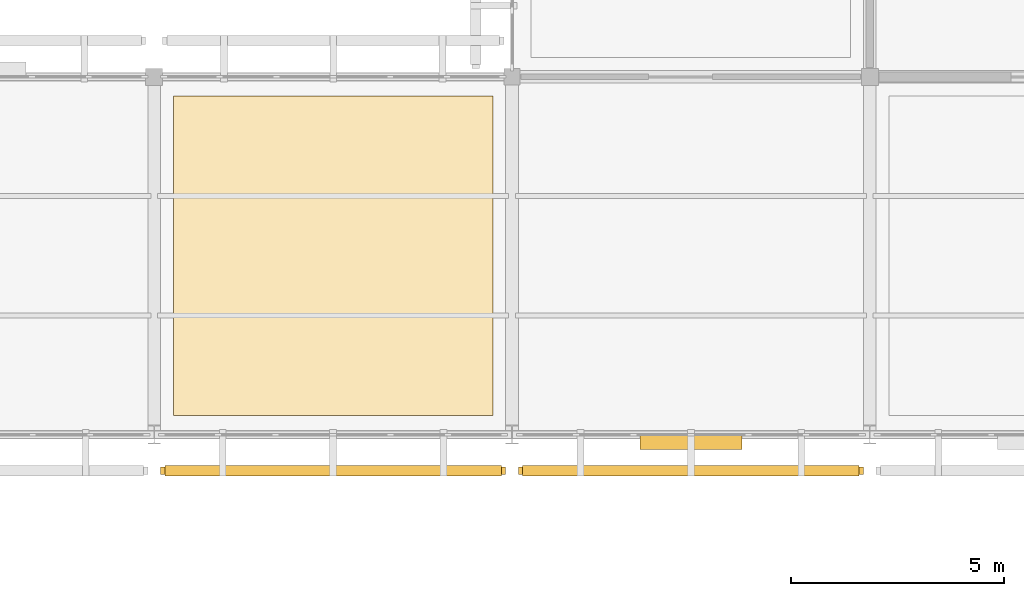
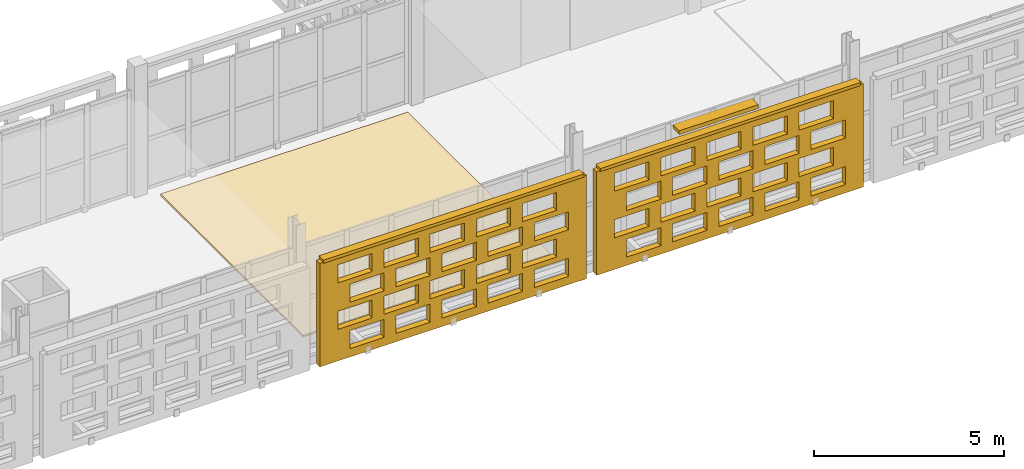
# One storey, part 144 of 166: 3 coverings, 3 shading devices, 40 openings.
"""IFC4 building model written with IfcOpenShell, lengths in metres."""

from ifc_helpers import new_model, si_unit, direction, frame, frame_2d, origin, origin_2d, place, context, subcontext, project, spatial, rectangle, extrude, material, layer, layer_set, type_object, element, save


model = new_model("IFC4")

# Units and contexts
model_context = context("Model", 3, precision=1e-05, world=origin(), true_north=direction((0.0, 1.0)))
body_context = subcontext(model_context, "Body", "Model", "MODEL_VIEW")
ifc_project = project(units=[si_unit("LENGTHUNIT", "METRE"), si_unit("AREAUNIT", "SQUARE_METRE"), si_unit("VOLUMEUNIT", "CUBIC_METRE"), si_unit("PLANEANGLEUNIT", "RADIAN"), si_unit("MASSUNIT", "GRAM", prefix="KILO")], contexts=[model_context])

# Site, building, storey
site_placement = place(None, origin())
site = spatial("IfcSite", under=ifc_project, at=site_placement, CompositionType="ELEMENT")
building_placement = place(site_placement, origin())
building = spatial("IfcBuilding", under=site, at=building_placement, Name="Varnapada Polytechnic", CompositionType="ELEMENT")
storey_placement = place(building_placement, frame((0.0, 0.0, 9.60009765625)))
storey = spatial("IfcBuildingStorey", under=building, at=storey_placement, Name="L02", CompositionType="ELEMENT", Elevation=9.60009765625)

# Covering
ifc_material_1 = material(Name="Anti-Static Raised Laboratory Flooring")
ifc_layer_1 = layer(ifc_material_1, 0.06005859375)
ifc_layer_set_1 = layer_set([ifc_layer_1], Name="Anti-Static Raised Laboratory Flooring")
covering_type_1 = type_object("IfcCoveringType", Name="Floor Finish FLR-02", PredefinedType="FLOORING", material=ifc_layer_set_1)
covering_1_placement = place(storey_placement, frame((113.39990234375, 88.199951171875, -0.000244140625), z_axis=(0.0, 0.0, 1.0), x_axis=(1.0, 0.0, 0.0)))
element("IfcCovering", 1, at=covering_1_placement, inside=storey, type_object=covering_type_1, Name="L02 floor finish panel (14,11)", PredefinedType="FLOORING", context=body_context, shape_type="SweptSolid", body=[
    extrude(rectangle(XDim=7.5, YDim=7.5, at=origin_2d()), origin(), (0.0, 0.0, 1.0), 0.06005859375),
])

# Shading device
ifc_material_2 = material(Name="Anodised aluminium", Category="aluminium")
ifc_layer_2 = layer(ifc_material_2, 0.35009765625)
ifc_layer_set_2 = layer_set([ifc_layer_2], Name="Anodised aluminium")
shading_device_type_1 = type_object("IfcShadingDeviceType", Name="Solar Louvre LVR-01", PredefinedType="JALOUSIE", material=ifc_layer_set_2)
shading_device_placement = place(storey_placement, frame((121.800048828125, 83.820068359375, 3.159912109375), z_axis=(0.0, 0.0, 1.0), x_axis=(-1.0, 0.0, 0.0)))
element("IfcShadingDevice", 2, at=shading_device_placement, inside=storey, type_object=shading_device_type_1, Name="L02 aluminium sun louvre 70", PredefinedType="JALOUSIE", context=body_context, shape_type="SweptSolid", body=[
    extrude(rectangle(XDim=2.39990234375, YDim=0.340087890625, at=origin_2d()), origin(), (0.0, 0.0, 1.0), 0.1201171875),
])

# Covering, openings
ifc_material_3 = material(Name="Earth-toned architectural terracotta screen block", Category="masonry")
ifc_layer_3 = layer(ifc_material_3, 0.1201171875)
ifc_layer_set_3 = layer_set([ifc_layer_3], Name="Earth-toned architectural terracotta screen block")
covering_type_2 = type_object("IfcCoveringType", Name="Terracotta Screen Cladding CLD-01", PredefinedType="CLADDING", material=ifc_layer_set_3)
covering_2_placement = place(storey_placement, frame((117.449951171875, 83.14990234375, 0.0), z_axis=(0.0, 0.0, 1.0), x_axis=(-1.0, 0.0, 0.0)))
covering_2 = element("IfcCovering", 3, at=covering_2_placement, inside=storey, type_object=covering_type_2, Name="L02 perforated terracotta block screen (68)", PredefinedType="CLADDING", context=body_context, shape_type="SweptSolid", body=[
    extrude(rectangle(XDim=8.099853515625, YDim=0.179931640625, at=frame_2d((4.0498046875, 0.0))), origin(), (0.0, 0.0, 1.0), 3.31982421875),
])
opening_1_placement = place(covering_2_placement, frame((0.550048828125, 0.0, 0.265625)))
element("IfcOpeningElement", 4, at=opening_1_placement, cuts=covering_2, Name="Screen perforation TBS-L02-067.1", PredefinedType="OPENING", context=body_context, shape_type="SweptSolid", body=[
    extrude(rectangle(XDim=1.0400390625, YDim=0.5810546875, at=frame_2d((0.52001953125, 0.29052734375))), frame((0.0, 0.099853515625, 0.0), z_axis=(0.0, -1.0, 0.0), x_axis=(1.0, 0.0, 0.0)), (0.0, 0.0, 1.0), 0.199951171875),
])
opening_2_placement = place(covering_2_placement, frame((1.949951171875, 0.0, 0.265625)))
element("IfcOpeningElement", 5, at=opening_2_placement, cuts=covering_2, Name="Screen perforation TBS-L02-067.2", PredefinedType="OPENING", context=body_context, shape_type="SweptSolid", body=[
    extrude(rectangle(XDim=1.0400390625, YDim=0.5810546875, at=frame_2d((0.52001953125, 0.29052734375))), frame((0.0, 0.099853515625, 0.0), z_axis=(0.0, -1.0, 0.0), x_axis=(1.0, 0.0, 0.0)), (0.0, 0.0, 1.0), 0.199951171875),
])
opening_3_placement = place(covering_2_placement, frame((3.35009765625, 0.0, 0.265625)))
element("IfcOpeningElement", 6, at=opening_3_placement, cuts=covering_2, Name="Screen perforation TBS-L02-067.3", PredefinedType="OPENING", context=body_context, shape_type="SweptSolid", body=[
    extrude(rectangle(XDim=1.0400390625, YDim=0.5810546875, at=frame_2d((0.52001953125, 0.29052734375))), frame((0.0, 0.099853515625, 0.0), z_axis=(0.0, -1.0, 0.0), x_axis=(1.0, 0.0, 0.0)), (0.0, 0.0, 1.0), 0.199951171875),
])
opening_4_placement = place(covering_2_placement, frame((4.75, 0.0, 0.265625)))
element("IfcOpeningElement", 7, at=opening_4_placement, cuts=covering_2, Name="Screen perforation TBS-L02-067.4", PredefinedType="OPENING", context=body_context, shape_type="SweptSolid", body=[
    extrude(rectangle(XDim=1.0400390625, YDim=0.5810546875, at=frame_2d((0.52001953125, 0.29052734375))), frame((0.0, 0.099853515625, 0.0), z_axis=(0.0, -1.0, 0.0), x_axis=(1.0, 0.0, 0.0)), (0.0, 0.0, 1.0), 0.199951171875),
])
opening_5_placement = place(covering_2_placement, frame((6.14990234375, 0.0, 0.265625)))
element("IfcOpeningElement", 8, at=opening_5_placement, cuts=covering_2, Name="Screen perforation TBS-L02-067.5", PredefinedType="OPENING", context=body_context, shape_type="SweptSolid", body=[
    extrude(rectangle(XDim=1.0400390625, YDim=0.5810546875, at=frame_2d((0.52001953125, 0.29052734375))), frame((0.0, 0.099853515625, 0.0), z_axis=(0.0, -1.0, 0.0), x_axis=(1.0, 0.0, 0.0)), (0.0, 0.0, 1.0), 0.199951171875),
])
opening_6_placement = place(covering_2_placement, frame((0.909912109375, 0.0, 1.0126953125)))
element("IfcOpeningElement", 9, at=opening_6_placement, cuts=covering_2, Name="Screen perforation TBS-L02-067.6", PredefinedType="OPENING", context=body_context, shape_type="SweptSolid", body=[
    extrude(rectangle(XDim=1.0400390625, YDim=0.5810546875, at=frame_2d((0.52001953125, 0.29052734375))), frame((0.0, 0.099853515625, 0.0), z_axis=(0.0, -1.0, 0.0), x_axis=(1.0, 0.0, 0.0)), (0.0, 0.0, 1.0), 0.199951171875),
])
opening_7_placement = place(covering_2_placement, frame((2.31005859375, 0.0, 1.0126953125)))
element("IfcOpeningElement", 10, at=opening_7_placement, cuts=covering_2, Name="Screen perforation TBS-L02-067.7", PredefinedType="OPENING", context=body_context, shape_type="SweptSolid", body=[
    extrude(rectangle(XDim=1.0400390625, YDim=0.5810546875, at=frame_2d((0.52001953125, 0.29052734375))), frame((0.0, 0.099853515625, 0.0), z_axis=(0.0, -1.0, 0.0), x_axis=(1.0, 0.0, 0.0)), (0.0, 0.0, 1.0), 0.199951171875),
])
opening_8_placement = place(covering_2_placement, frame((3.7099609375, 0.0, 1.0126953125)))
element("IfcOpeningElement", 11, at=opening_8_placement, cuts=covering_2, Name="Screen perforation TBS-L02-067.8", PredefinedType="OPENING", context=body_context, shape_type="SweptSolid", body=[
    extrude(rectangle(XDim=1.0400390625, YDim=0.5810546875, at=frame_2d((0.52001953125, 0.29052734375))), frame((0.0, 0.099853515625, 0.0), z_axis=(0.0, -1.0, 0.0), x_axis=(1.0, 0.0, 0.0)), (0.0, 0.0, 1.0), 0.199951171875),
])
opening_9_placement = place(covering_2_placement, frame((5.110107421875, 0.0, 1.0126953125)))
element("IfcOpeningElement", 12, at=opening_9_placement, cuts=covering_2, Name="Screen perforation TBS-L02-067.9", PredefinedType="OPENING", context=body_context, shape_type="SweptSolid", body=[
    extrude(rectangle(XDim=1.0400390625, YDim=0.5810546875, at=frame_2d((0.52001953125, 0.29052734375))), frame((0.0, 0.099853515625, 0.0), z_axis=(0.0, -1.0, 0.0), x_axis=(1.0, 0.0, 0.0)), (0.0, 0.0, 1.0), 0.199951171875),
])
opening_10_placement = place(covering_2_placement, frame((6.510009765625, 0.0, 1.0126953125)))
element("IfcOpeningElement", 13, at=opening_10_placement, cuts=covering_2, Name="Screen perforation TBS-L02-067.10", PredefinedType="OPENING", context=body_context, shape_type="SweptSolid", body=[
    extrude(rectangle(XDim=1.0400390625, YDim=0.5810546875, at=frame_2d((0.52001953125, 0.29052734375))), frame((0.0, 0.099853515625, 0.0), z_axis=(0.0, -1.0, 0.0), x_axis=(1.0, 0.0, 0.0)), (0.0, 0.0, 1.0), 0.199951171875),
])
opening_11_placement = place(covering_2_placement, frame((0.550048828125, 0.0, 1.759521484375)))
element("IfcOpeningElement", 14, at=opening_11_placement, cuts=covering_2, Name="Screen perforation TBS-L02-067.11", PredefinedType="OPENING", context=body_context, shape_type="SweptSolid", body=[
    extrude(rectangle(XDim=1.0400390625, YDim=0.5810546875, at=frame_2d((0.52001953125, 0.29052734375))), frame((0.0, 0.099853515625, 0.0), z_axis=(0.0, -1.0, 0.0), x_axis=(1.0, 0.0, 0.0)), (0.0, 0.0, 1.0), 0.199951171875),
])
opening_12_placement = place(covering_2_placement, frame((1.949951171875, 0.0, 1.759521484375)))
element("IfcOpeningElement", 15, at=opening_12_placement, cuts=covering_2, Name="Screen perforation TBS-L02-067.12", PredefinedType="OPENING", context=body_context, shape_type="SweptSolid", body=[
    extrude(rectangle(XDim=1.0400390625, YDim=0.5810546875, at=frame_2d((0.52001953125, 0.29052734375))), frame((0.0, 0.099853515625, 0.0), z_axis=(0.0, -1.0, 0.0), x_axis=(1.0, 0.0, 0.0)), (0.0, 0.0, 1.0), 0.199951171875),
])
opening_13_placement = place(covering_2_placement, frame((3.35009765625, 0.0, 1.759521484375)))
element("IfcOpeningElement", 16, at=opening_13_placement, cuts=covering_2, Name="Screen perforation TBS-L02-067.13", PredefinedType="OPENING", context=body_context, shape_type="SweptSolid", body=[
    extrude(rectangle(XDim=1.0400390625, YDim=0.5810546875, at=frame_2d((0.52001953125, 0.29052734375))), frame((0.0, 0.099853515625, 0.0), z_axis=(0.0, -1.0, 0.0), x_axis=(1.0, 0.0, 0.0)), (0.0, 0.0, 1.0), 0.199951171875),
])
opening_14_placement = place(covering_2_placement, frame((4.75, 0.0, 1.759521484375)))
element("IfcOpeningElement", 17, at=opening_14_placement, cuts=covering_2, Name="Screen perforation TBS-L02-067.14", PredefinedType="OPENING", context=body_context, shape_type="SweptSolid", body=[
    extrude(rectangle(XDim=1.0400390625, YDim=0.5810546875, at=frame_2d((0.52001953125, 0.29052734375))), frame((0.0, 0.099853515625, 0.0), z_axis=(0.0, -1.0, 0.0), x_axis=(1.0, 0.0, 0.0)), (0.0, 0.0, 1.0), 0.199951171875),
])
opening_15_placement = place(covering_2_placement, frame((6.14990234375, 0.0, 1.759521484375)))
element("IfcOpeningElement", 18, at=opening_15_placement, cuts=covering_2, Name="Screen perforation TBS-L02-067.15", PredefinedType="OPENING", context=body_context, shape_type="SweptSolid", body=[
    extrude(rectangle(XDim=1.0400390625, YDim=0.5810546875, at=frame_2d((0.52001953125, 0.29052734375))), frame((0.0, 0.099853515625, 0.0), z_axis=(0.0, -1.0, 0.0), x_axis=(1.0, 0.0, 0.0)), (0.0, 0.0, 1.0), 0.199951171875),
])
opening_16_placement = place(covering_2_placement, frame((0.909912109375, 0.0, 2.506591796875)))
element("IfcOpeningElement", 19, at=opening_16_placement, cuts=covering_2, Name="Screen perforation TBS-L02-067.16", PredefinedType="OPENING", context=body_context, shape_type="SweptSolid", body=[
    extrude(rectangle(XDim=1.0400390625, YDim=0.5810546875, at=frame_2d((0.52001953125, 0.29052734375))), frame((0.0, 0.099853515625, 0.0), z_axis=(0.0, -1.0, 0.0), x_axis=(1.0, 0.0, 0.0)), (0.0, 0.0, 1.0), 0.199951171875),
])
opening_17_placement = place(covering_2_placement, frame((2.31005859375, 0.0, 2.506591796875)))
element("IfcOpeningElement", 20, at=opening_17_placement, cuts=covering_2, Name="Screen perforation TBS-L02-067.17", PredefinedType="OPENING", context=body_context, shape_type="SweptSolid", body=[
    extrude(rectangle(XDim=1.0400390625, YDim=0.5810546875, at=frame_2d((0.52001953125, 0.29052734375))), frame((0.0, 0.099853515625, 0.0), z_axis=(0.0, -1.0, 0.0), x_axis=(1.0, 0.0, 0.0)), (0.0, 0.0, 1.0), 0.199951171875),
])
opening_18_placement = place(covering_2_placement, frame((3.7099609375, 0.0, 2.506591796875)))
element("IfcOpeningElement", 21, at=opening_18_placement, cuts=covering_2, Name="Screen perforation TBS-L02-067.18", PredefinedType="OPENING", context=body_context, shape_type="SweptSolid", body=[
    extrude(rectangle(XDim=1.0400390625, YDim=0.5810546875, at=frame_2d((0.52001953125, 0.29052734375))), frame((0.0, 0.099853515625, 0.0), z_axis=(0.0, -1.0, 0.0), x_axis=(1.0, 0.0, 0.0)), (0.0, 0.0, 1.0), 0.199951171875),
])
opening_19_placement = place(covering_2_placement, frame((5.110107421875, 0.0, 2.506591796875)))
element("IfcOpeningElement", 22, at=opening_19_placement, cuts=covering_2, Name="Screen perforation TBS-L02-067.19", PredefinedType="OPENING", context=body_context, shape_type="SweptSolid", body=[
    extrude(rectangle(XDim=1.0400390625, YDim=0.5810546875, at=frame_2d((0.52001953125, 0.29052734375))), frame((0.0, 0.099853515625, 0.0), z_axis=(0.0, -1.0, 0.0), x_axis=(1.0, 0.0, 0.0)), (0.0, 0.0, 1.0), 0.199951171875),
])
opening_20_placement = place(covering_2_placement, frame((6.510009765625, 0.0, 2.506591796875)))
element("IfcOpeningElement", 23, at=opening_20_placement, cuts=covering_2, Name="Screen perforation TBS-L02-067.20", PredefinedType="OPENING", context=body_context, shape_type="SweptSolid", body=[
    extrude(rectangle(XDim=1.0400390625, YDim=0.5810546875, at=frame_2d((0.52001953125, 0.29052734375))), frame((0.0, 0.099853515625, 0.0), z_axis=(0.0, -1.0, 0.0), x_axis=(1.0, 0.0, 0.0)), (0.0, 0.0, 1.0), 0.199951171875),
])

covering_3_placement = place(storey_placement, frame((125.85009765625, 83.14990234375, 0.0), z_axis=(0.0, 0.0, 1.0), x_axis=(-1.0, 0.0, 0.0)))
covering_3 = element("IfcCovering", 24, at=covering_3_placement, inside=storey, type_object=covering_type_2, Name="L02 perforated terracotta block screen (70)", PredefinedType="CLADDING", context=body_context, shape_type="SweptSolid", body=[
    extrude(rectangle(XDim=8.10009765625, YDim=0.179931640625, at=frame_2d((4.050048828125, 0.0))), origin(), (0.0, 0.0, 1.0), 3.31982421875),
])
opening_21_placement = place(covering_3_placement, frame((0.550048828125, 0.0, 0.265625)))
element("IfcOpeningElement", 25, at=opening_21_placement, cuts=covering_3, Name="Screen perforation TBS-L02-069.1", PredefinedType="OPENING", context=body_context, shape_type="SweptSolid", body=[
    extrude(rectangle(XDim=1.0400390625, YDim=0.5810546875, at=frame_2d((0.52001953125, 0.29052734375))), frame((0.0, 0.099853515625, 0.0), z_axis=(0.0, -1.0, 0.0), x_axis=(1.0, 0.0, 0.0)), (0.0, 0.0, 1.0), 0.199951171875),
])
opening_22_placement = place(covering_3_placement, frame((1.949951171875, 0.0, 0.265625)))
element("IfcOpeningElement", 26, at=opening_22_placement, cuts=covering_3, Name="Screen perforation TBS-L02-069.2", PredefinedType="OPENING", context=body_context, shape_type="SweptSolid", body=[
    extrude(rectangle(XDim=1.0400390625, YDim=0.5810546875, at=frame_2d((0.52001953125, 0.29052734375))), frame((0.0, 0.099853515625, 0.0), z_axis=(0.0, -1.0, 0.0), x_axis=(1.0, 0.0, 0.0)), (0.0, 0.0, 1.0), 0.199951171875),
])
opening_23_placement = place(covering_3_placement, frame((3.35009765625, 0.0, 0.265625)))
element("IfcOpeningElement", 27, at=opening_23_placement, cuts=covering_3, Name="Screen perforation TBS-L02-069.3", PredefinedType="OPENING", context=body_context, shape_type="SweptSolid", body=[
    extrude(rectangle(XDim=1.0400390625, YDim=0.5810546875, at=frame_2d((0.52001953125, 0.29052734375))), frame((0.0, 0.099853515625, 0.0), z_axis=(0.0, -1.0, 0.0), x_axis=(1.0, 0.0, 0.0)), (0.0, 0.0, 1.0), 0.199951171875),
])
opening_24_placement = place(covering_3_placement, frame((4.75, 0.0, 0.265625)))
element("IfcOpeningElement", 28, at=opening_24_placement, cuts=covering_3, Name="Screen perforation TBS-L02-069.4", PredefinedType="OPENING", context=body_context, shape_type="SweptSolid", body=[
    extrude(rectangle(XDim=1.0400390625, YDim=0.5810546875, at=frame_2d((0.52001953125, 0.29052734375))), frame((0.0, 0.099853515625, 0.0), z_axis=(0.0, -1.0, 0.0), x_axis=(1.0, 0.0, 0.0)), (0.0, 0.0, 1.0), 0.199951171875),
])
opening_25_placement = place(covering_3_placement, frame((6.14990234375, 0.0, 0.265625)))
element("IfcOpeningElement", 29, at=opening_25_placement, cuts=covering_3, Name="Screen perforation TBS-L02-069.5", PredefinedType="OPENING", context=body_context, shape_type="SweptSolid", body=[
    extrude(rectangle(XDim=1.0400390625, YDim=0.5810546875, at=frame_2d((0.52001953125, 0.29052734375))), frame((0.0, 0.099853515625, 0.0), z_axis=(0.0, -1.0, 0.0), x_axis=(1.0, 0.0, 0.0)), (0.0, 0.0, 1.0), 0.199951171875),
])
opening_26_placement = place(covering_3_placement, frame((0.909912109375, 0.0, 1.0126953125)))
element("IfcOpeningElement", 30, at=opening_26_placement, cuts=covering_3, Name="Screen perforation TBS-L02-069.6", PredefinedType="OPENING", context=body_context, shape_type="SweptSolid", body=[
    extrude(rectangle(XDim=1.0400390625, YDim=0.5810546875, at=frame_2d((0.52001953125, 0.29052734375))), frame((0.0, 0.099853515625, 0.0), z_axis=(0.0, -1.0, 0.0), x_axis=(1.0, 0.0, 0.0)), (0.0, 0.0, 1.0), 0.199951171875),
])
opening_27_placement = place(covering_3_placement, frame((2.31005859375, 0.0, 1.0126953125)))
element("IfcOpeningElement", 31, at=opening_27_placement, cuts=covering_3, Name="Screen perforation TBS-L02-069.7", PredefinedType="OPENING", context=body_context, shape_type="SweptSolid", body=[
    extrude(rectangle(XDim=1.0400390625, YDim=0.5810546875, at=frame_2d((0.52001953125, 0.29052734375))), frame((0.0, 0.099853515625, 0.0), z_axis=(0.0, -1.0, 0.0), x_axis=(1.0, 0.0, 0.0)), (0.0, 0.0, 1.0), 0.199951171875),
])
opening_28_placement = place(covering_3_placement, frame((3.7099609375, 0.0, 1.0126953125)))
element("IfcOpeningElement", 32, at=opening_28_placement, cuts=covering_3, Name="Screen perforation TBS-L02-069.8", PredefinedType="OPENING", context=body_context, shape_type="SweptSolid", body=[
    extrude(rectangle(XDim=1.0400390625, YDim=0.5810546875, at=frame_2d((0.52001953125, 0.29052734375))), frame((0.0, 0.099853515625, 0.0), z_axis=(0.0, -1.0, 0.0), x_axis=(1.0, 0.0, 0.0)), (0.0, 0.0, 1.0), 0.199951171875),
])
opening_29_placement = place(covering_3_placement, frame((5.110107421875, 0.0, 1.0126953125)))
element("IfcOpeningElement", 33, at=opening_29_placement, cuts=covering_3, Name="Screen perforation TBS-L02-069.9", PredefinedType="OPENING", context=body_context, shape_type="SweptSolid", body=[
    extrude(rectangle(XDim=1.0400390625, YDim=0.5810546875, at=frame_2d((0.52001953125, 0.29052734375))), frame((0.0, 0.099853515625, 0.0), z_axis=(0.0, -1.0, 0.0), x_axis=(1.0, 0.0, 0.0)), (0.0, 0.0, 1.0), 0.199951171875),
])
opening_30_placement = place(covering_3_placement, frame((6.510009765625, 0.0, 1.0126953125)))
element("IfcOpeningElement", 34, at=opening_30_placement, cuts=covering_3, Name="Screen perforation TBS-L02-069.10", PredefinedType="OPENING", context=body_context, shape_type="SweptSolid", body=[
    extrude(rectangle(XDim=1.0400390625, YDim=0.5810546875, at=frame_2d((0.52001953125, 0.29052734375))), frame((0.0, 0.099853515625, 0.0), z_axis=(0.0, -1.0, 0.0), x_axis=(1.0, 0.0, 0.0)), (0.0, 0.0, 1.0), 0.199951171875),
])
opening_31_placement = place(covering_3_placement, frame((0.550048828125, 0.0, 1.759521484375)))
element("IfcOpeningElement", 35, at=opening_31_placement, cuts=covering_3, Name="Screen perforation TBS-L02-069.11", PredefinedType="OPENING", context=body_context, shape_type="SweptSolid", body=[
    extrude(rectangle(XDim=1.0400390625, YDim=0.5810546875, at=frame_2d((0.52001953125, 0.29052734375))), frame((0.0, 0.099853515625, 0.0), z_axis=(0.0, -1.0, 0.0), x_axis=(1.0, 0.0, 0.0)), (0.0, 0.0, 1.0), 0.199951171875),
])
opening_32_placement = place(covering_3_placement, frame((1.949951171875, 0.0, 1.759521484375)))
element("IfcOpeningElement", 36, at=opening_32_placement, cuts=covering_3, Name="Screen perforation TBS-L02-069.12", PredefinedType="OPENING", context=body_context, shape_type="SweptSolid", body=[
    extrude(rectangle(XDim=1.0400390625, YDim=0.5810546875, at=frame_2d((0.52001953125, 0.29052734375))), frame((0.0, 0.099853515625, 0.0), z_axis=(0.0, -1.0, 0.0), x_axis=(1.0, 0.0, 0.0)), (0.0, 0.0, 1.0), 0.199951171875),
])
opening_33_placement = place(covering_3_placement, frame((3.35009765625, 0.0, 1.759521484375)))
element("IfcOpeningElement", 37, at=opening_33_placement, cuts=covering_3, Name="Screen perforation TBS-L02-069.13", PredefinedType="OPENING", context=body_context, shape_type="SweptSolid", body=[
    extrude(rectangle(XDim=1.0400390625, YDim=0.5810546875, at=frame_2d((0.52001953125, 0.29052734375))), frame((0.0, 0.099853515625, 0.0), z_axis=(0.0, -1.0, 0.0), x_axis=(1.0, 0.0, 0.0)), (0.0, 0.0, 1.0), 0.199951171875),
])
opening_34_placement = place(covering_3_placement, frame((4.75, 0.0, 1.759521484375)))
element("IfcOpeningElement", 38, at=opening_34_placement, cuts=covering_3, Name="Screen perforation TBS-L02-069.14", PredefinedType="OPENING", context=body_context, shape_type="SweptSolid", body=[
    extrude(rectangle(XDim=1.0400390625, YDim=0.5810546875, at=frame_2d((0.52001953125, 0.29052734375))), frame((0.0, 0.099853515625, 0.0), z_axis=(0.0, -1.0, 0.0), x_axis=(1.0, 0.0, 0.0)), (0.0, 0.0, 1.0), 0.199951171875),
])
opening_35_placement = place(covering_3_placement, frame((6.14990234375, 0.0, 1.759521484375)))
element("IfcOpeningElement", 39, at=opening_35_placement, cuts=covering_3, Name="Screen perforation TBS-L02-069.15", PredefinedType="OPENING", context=body_context, shape_type="SweptSolid", body=[
    extrude(rectangle(XDim=1.0400390625, YDim=0.5810546875, at=frame_2d((0.52001953125, 0.29052734375))), frame((0.0, 0.099853515625, 0.0), z_axis=(0.0, -1.0, 0.0), x_axis=(1.0, 0.0, 0.0)), (0.0, 0.0, 1.0), 0.199951171875),
])
opening_36_placement = place(covering_3_placement, frame((0.909912109375, 0.0, 2.506591796875)))
element("IfcOpeningElement", 40, at=opening_36_placement, cuts=covering_3, Name="Screen perforation TBS-L02-069.16", PredefinedType="OPENING", context=body_context, shape_type="SweptSolid", body=[
    extrude(rectangle(XDim=1.0400390625, YDim=0.5810546875, at=frame_2d((0.52001953125, 0.29052734375))), frame((0.0, 0.099853515625, 0.0), z_axis=(0.0, -1.0, 0.0), x_axis=(1.0, 0.0, 0.0)), (0.0, 0.0, 1.0), 0.199951171875),
])
opening_37_placement = place(covering_3_placement, frame((2.31005859375, 0.0, 2.506591796875)))
element("IfcOpeningElement", 41, at=opening_37_placement, cuts=covering_3, Name="Screen perforation TBS-L02-069.17", PredefinedType="OPENING", context=body_context, shape_type="SweptSolid", body=[
    extrude(rectangle(XDim=1.0400390625, YDim=0.5810546875, at=frame_2d((0.52001953125, 0.29052734375))), frame((0.0, 0.099853515625, 0.0), z_axis=(0.0, -1.0, 0.0), x_axis=(1.0, 0.0, 0.0)), (0.0, 0.0, 1.0), 0.199951171875),
])
opening_38_placement = place(covering_3_placement, frame((3.7099609375, 0.0, 2.506591796875)))
element("IfcOpeningElement", 42, at=opening_38_placement, cuts=covering_3, Name="Screen perforation TBS-L02-069.18", PredefinedType="OPENING", context=body_context, shape_type="SweptSolid", body=[
    extrude(rectangle(XDim=1.0400390625, YDim=0.5810546875, at=frame_2d((0.52001953125, 0.29052734375))), frame((0.0, 0.099853515625, 0.0), z_axis=(0.0, -1.0, 0.0), x_axis=(1.0, 0.0, 0.0)), (0.0, 0.0, 1.0), 0.199951171875),
])
opening_39_placement = place(covering_3_placement, frame((5.110107421875, 0.0, 2.506591796875)))
element("IfcOpeningElement", 43, at=opening_39_placement, cuts=covering_3, Name="Screen perforation TBS-L02-069.19", PredefinedType="OPENING", context=body_context, shape_type="SweptSolid", body=[
    extrude(rectangle(XDim=1.0400390625, YDim=0.5810546875, at=frame_2d((0.52001953125, 0.29052734375))), frame((0.0, 0.099853515625, 0.0), z_axis=(0.0, -1.0, 0.0), x_axis=(1.0, 0.0, 0.0)), (0.0, 0.0, 1.0), 0.199951171875),
])
opening_40_placement = place(covering_3_placement, frame((6.510009765625, 0.0, 2.506591796875)))
element("IfcOpeningElement", 44, at=opening_40_placement, cuts=covering_3, Name="Screen perforation TBS-L02-069.20", PredefinedType="OPENING", context=body_context, shape_type="SweptSolid", body=[
    extrude(rectangle(XDim=1.0400390625, YDim=0.5810546875, at=frame_2d((0.52001953125, 0.29052734375))), frame((0.0, 0.099853515625, 0.0), z_axis=(0.0, -1.0, 0.0), x_axis=(1.0, 0.0, 0.0)), (0.0, 0.0, 1.0), 0.199951171875),
])

# Shading devices
ifc_layer_4 = layer(ifc_material_3, 0.179931640625)
ifc_layer_set_4 = layer_set([ifc_layer_4], Name="Earth-toned architectural terracotta screen block")
shading_device_type_2 = type_object("IfcShadingDeviceType", Name="Terracotta Screen SCR-01", PredefinedType="USERDEFINED", material=ifc_layer_set_4)
for number, where, z_axis, x_axis, name in (
    (45, (113.39990234375, 83.14990234375, 3.309814453125), (0.0, 0.0, 1.0), (-1.0, 0.0, 0.0), "L02 perforated terracotta screen hood 293"),
    (46, (121.800048828125, 83.14990234375, 3.309814453125), (0.0, 0.0, 1.0), (-1.0, 0.0, 0.0), "L02 perforated terracotta screen hood 295"),
):
    element("IfcShadingDevice", number, at=place(storey_placement, frame(where, z_axis=z_axis, x_axis=x_axis)), inside=storey, type_object=shading_device_type_2, Name=name, ObjectType="SCREEN", PredefinedType="USERDEFINED", context=body_context, shape_type="SweptSolid", body=[
        extrude(rectangle(XDim=7.89990234375, YDim=0.239990234375, at=origin_2d()), origin(), (0.0, 0.0, 1.0), 0.10009765625),
    ])

save(model, "model.ifc")
